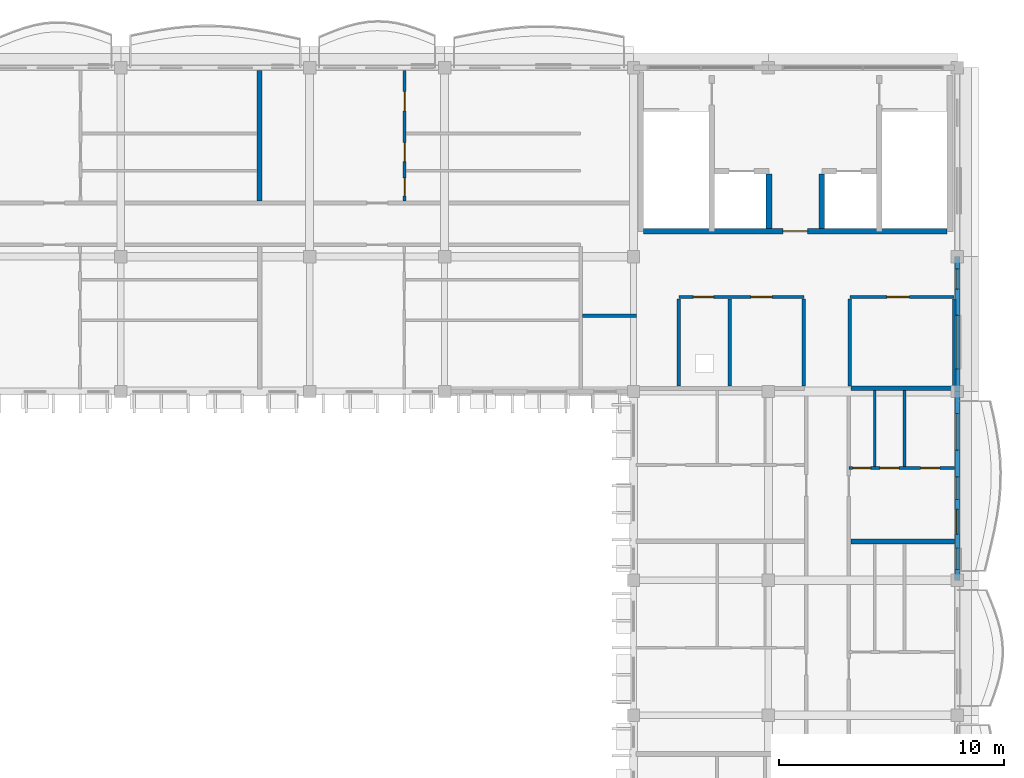
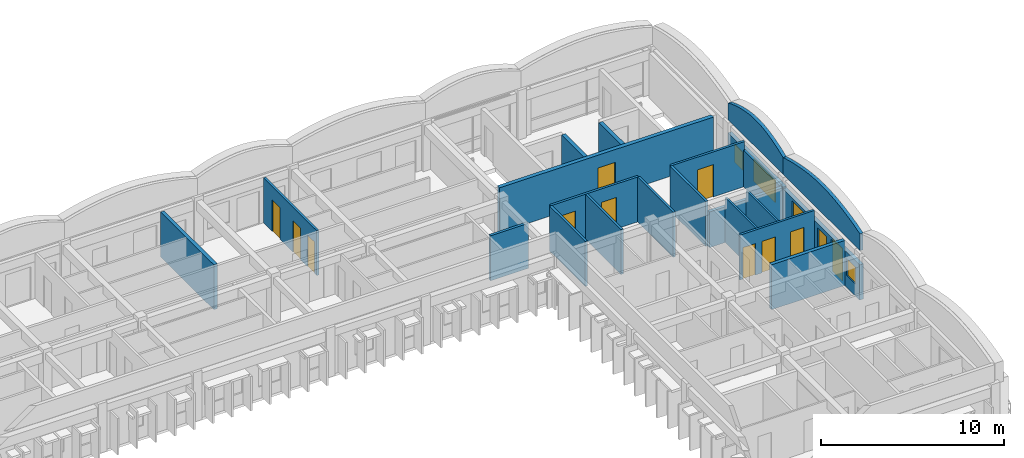
# One storey, part 16 of 28: 22 walls, 11 doors, 5 windows, 16 openings.
"""IFC4 building model written with IfcOpenShell, lengths in metres."""

from ifc_helpers import new_model, si_unit, direction, frame, frame_2d, origin, place, context, subcontext, project, spatial, polyline, rectangle, outline, extrude, material, layer, layer_set, type_object, element, fill, save


model = new_model("IFC4")

# Units and contexts
model_context = context("Model", 3, precision=1e-05, world=origin(), true_north=direction((0.0, 1.0)))
body_context = subcontext(model_context, "Body", "Model", "MODEL_VIEW")
ifc_project = project(units=[si_unit("LENGTHUNIT", "METRE"), si_unit("AREAUNIT", "SQUARE_METRE"), si_unit("VOLUMEUNIT", "CUBIC_METRE"), si_unit("PLANEANGLEUNIT", "RADIAN"), si_unit("MASSUNIT", "GRAM", prefix="KILO"), si_unit("THERMODYNAMICTEMPERATUREUNIT", "KELVIN")], contexts=[model_context])

# Site, building, storey
site_placement = place(None, origin())
site = spatial("IfcSite", under=ifc_project, at=site_placement, CompositionType="ELEMENT")
building_placement = place(site_placement, origin())
building = spatial("IfcBuilding", under=site, at=building_placement, Name="Thalorik Housing Commons", CompositionType="ELEMENT")
storey_placement = place(building_placement, frame((0.0, 0.0, 41.10009765625)))
storey = spatial("IfcBuildingStorey", under=building, at=storey_placement, Name="L12", CompositionType="ELEMENT", Elevation=41.10009765625)

# Walls
ifc_material_1 = material(Name="Concrete C40/50", Category="concrete")
ifc_layer_1 = layer(ifc_material_1, 0.25, Name="Concrete C40/50", Category="concrete")
ifc_layer_set_1 = layer_set([ifc_layer_1], Name="Concrete C40/50")
wall_type_1 = type_object("IfcWallType", Name="ARC-WAL-CORE-250", PredefinedType="SHEAR", material=ifc_layer_set_1)
for number, where, z_axis, x_axis, name in (
    (1, (158.425048828125, 118.875, 0.0), (0.0, 0.0, 1.0), (0.0, -1.0, 0.0), "L12 Lift 1 Cheek Wall"),
    (2, (160.77490234375, 118.875, 0.0), (0.0, 0.0, 1.0), (0.0, -1.0, 0.0), "L12 Lift 2 Cheek Wall"),
):
    element("IfcWall", number, at=place(storey_placement, frame(where, z_axis=z_axis, x_axis=x_axis)), inside=storey, type_object=wall_type_1, Name=name, PredefinedType="SHEAR", context=body_context, shape_type="SweptSolid", body=[
        extrude(rectangle(XDim=2.425048828125, YDim=0.25, at=frame_2d((1.21240234375, 0.0))), origin(), (0.0, 0.0, 1.0), 3.0),
    ])

# Wall, opening, door
wall_1_placement = place(storey_placement, frame((152.85009765625, 116.324951171875, 0.0), z_axis=(0.0, 0.0, 1.0), x_axis=(1.0, 0.0, 0.0)))
wall_1 = element("IfcWall", 3, at=wall_1_placement, inside=storey, type_object=wall_type_1, Name="L12 Core B Spine Shear Wall", PredefinedType="SHEAR", context=body_context, shape_type="SweptSolid", body=[
    extrude(rectangle(XDim=13.5, YDim=0.25, at=frame_2d((6.75, 0.0))), origin(), (0.0, 0.0, 1.0), 3.0),
])
opening_1_placement = place(wall_1_placement, frame((6.199951171875, 0.0, 0.0)))
opening_1 = element("IfcOpeningElement", 4, at=opening_1_placement, cuts=wall_1, Name="Opening ID-0245", PredefinedType="OPENING", context=body_context, shape_type="SweptSolid", body=[
    extrude(rectangle(XDim=1.10009765625, YDim=2.14990234375, at=frame_2d((0.550048828125, 1.074951171875))), frame((0.0, 0.135009765625, 0.0), z_axis=(0.0, -1.0, 0.0), x_axis=(1.0, 0.0, 0.0)), (0.0, 0.0, 1.0), 0.27001953125),
])
ifc_material_2 = material(Name="Steel S355", Category="steel")
door_type_1 = type_object("IfcDoorType", Name="ARC-DR-FD60-1100", OperationType="NOTDEFINED", PredefinedType="DOOR", material=ifc_material_2)
door_1_placement = place(opening_1_placement, origin())
door_1 = element("IfcDoor", 5, at=door_1_placement, inside=storey, type_object=door_type_1, Name="L12 Core B Lobby Fire Door", OperationType="SINGLE_SWING_RIGHT", OverallHeight=2.14990234375, OverallWidth=1.10009765625, PredefinedType="DOOR", context=body_context, shape_type="SweptSolid", body=[
    extrude(rectangle(XDim=1.10009765625, YDim=2.14990234375, at=frame_2d((0.550048828125, 1.074951171875))), frame((0.0, 0.02490234375, 0.0), z_axis=(0.0, -1.0, 0.0), x_axis=(1.0, 0.0, 0.0)), (0.0, 0.0, 1.0), 0.050048828125),
])
fill(opening_1, door_1)

# Wall
ifc_material_3 = material(Name="Masonry fire-rated corridor wall", Category="masonry")
ifc_layer_2 = layer(ifc_material_3, 0.1650390625, Name="Masonry fire-rated corridor wall", Category="masonry")
ifc_layer_set_2 = layer_set([ifc_layer_2], Name="Masonry fire-rated corridor wall")
wall_type_2 = type_object("IfcWallType", Name="ARC-WAL-CORR-165", PredefinedType="PARTITIONING", material=ifc_layer_set_2)
wall_2_placement = place(storey_placement, frame((150.126953125, 112.570068359375, 0.0), z_axis=(0.0, 0.0, 1.0), x_axis=(1.0, 0.0, 0.0)))
element("IfcWall", 6, at=wall_2_placement, inside=storey, type_object=wall_type_2, Name="L12 Block B Vestibule South Wall", PredefinedType="PARTITIONING", context=body_context, shape_type="SweptSolid", body=[
    extrude(rectangle(XDim=2.4130859375, YDim=0.1650390625, at=frame_2d((1.20654296875, 0.0))), origin(), (0.0, 0.0, 1.0), 3.0),
])

# Wall, openings, windows
ifc_material_4 = material(Name="White precast concrete C40/50", Category="concrete")
ifc_layer_3 = layer(ifc_material_4, 0.235107421875, Name="White precast concrete C40/50", Category="concrete")
ifc_layer_set_3 = layer_set([ifc_layer_3], Name="White precast concrete C40/50")
wall_type_3 = type_object("IfcWallType", Name="ARC-WAL-EXT-235", PredefinedType="STANDARD", material=ifc_layer_set_3)
wall_3_placement = place(storey_placement, frame((166.800048828125, 109.199951171875, 0.0), z_axis=(0.0, 0.0, 1.0), x_axis=(0.0, 1.0, 0.0)))
wall_3 = element("IfcWall", 7, at=wall_3_placement, inside=storey, type_object=wall_type_3, Name="L12 Exterior Wall WAL-EXT-L12-B-0795", PredefinedType="STANDARD", context=body_context, shape_type="SweptSolid", body=[
    extrude(rectangle(XDim=6.0, YDim=0.235107421875, at=frame_2d((3.0, 0.0))), origin(), (0.0, 0.0, 1.0), 2.44482421875),
])
opening_2_placement = place(wall_3_placement, frame((1.0048828125, 0.0, 0.780029296875)))
opening_2 = element("IfcOpeningElement", 8, at=opening_2_placement, cuts=wall_3, Name="Opening W-69", PredefinedType="OPENING", context=body_context, shape_type="SweptSolid", body=[
    extrude(rectangle(XDim=2.3798828125, YDim=1.47998046875, at=frame_2d((1.18994140625, 0.739990234375))), frame((0.0, 0.12744140625, 0.0), z_axis=(0.0, -1.0, 0.0), x_axis=(1.0, 0.0, 0.0)), (0.0, 0.0, 1.0), 0.255126953125),
])
opening_3_placement = place(wall_3_placement, frame((4.554931640625, 0.0, 0.780029296875)))
opening_3 = element("IfcOpeningElement", 9, at=opening_3_placement, cuts=wall_3, Name="Opening W-01", PredefinedType="OPENING", context=body_context, shape_type="SweptSolid", body=[
    extrude(rectangle(XDim=0.89990234375, YDim=1.199951171875, at=frame_2d((0.449951171875, 0.60009765625))), frame((0.0, 0.12744140625, 0.0), z_axis=(0.0, -1.0, 0.0), x_axis=(1.0, 0.0, 0.0)), (0.0, 0.0, 1.0), 0.255126953125),
])
ifc_material_5 = material(Name="Anodised aluminium and solar-control low-E glass", Category="aluminium")
window_type_1 = type_object("IfcWindowType", Name="ARC-WIN-01", PartitioningType="SINGLE_PANEL", PredefinedType="WINDOW", material=ifc_material_5)
window_1_placement = place(opening_3_placement, origin())
window_1 = element("IfcWindow", 10, at=window_1_placement, inside=storey, type_object=window_type_1, Name="L12 Facade Window 1465", OverallHeight=1.199951171875, OverallWidth=0.89990234375, PartitioningType="SINGLE_PANEL", PredefinedType="WINDOW", context=body_context, shape_type="SweptSolid", body=[
    extrude(rectangle(XDim=0.89990234375, YDim=1.199951171875, at=frame_2d((0.449951171875, 0.60009765625))), frame((0.0, 0.030029296875, 0.0), z_axis=(0.0, -1.0, 0.0), x_axis=(1.0, 0.0, 0.0)), (0.0, 0.0, 1.0), 0.06005859375),
])
fill(opening_3, window_1)
window_type_2 = type_object("IfcWindowType", Name="ARC-WIN-69", PartitioningType="DOUBLE_PANEL_VERTICAL", PredefinedType="WINDOW", material=ifc_material_5)
window_2_placement = place(opening_2_placement, origin())
window_2 = element("IfcWindow", 11, at=window_2_placement, inside=storey, type_object=window_type_2, Name="L12 Facade Window 1464", OverallHeight=1.47998046875, OverallWidth=2.3798828125, PartitioningType="DOUBLE_PANEL_VERTICAL", PredefinedType="WINDOW", context=body_context, shape_type="SweptSolid", body=[
    extrude(rectangle(XDim=2.3798828125, YDim=1.47998046875, at=frame_2d((1.18994140625, 0.739990234375))), frame((0.0, 0.030029296875, 0.0), z_axis=(0.0, -1.0, 0.0), x_axis=(1.0, 0.0, 0.0)), (0.0, 0.0, 1.0), 0.06005859375),
])
fill(opening_2, window_2)

# Wall, openings, door, windows
wall_4_placement = place(storey_placement, frame((166.800048828125, 100.800048828125, 0.0), z_axis=(0.0, 0.0, 1.0), x_axis=(0.0, 1.0, 0.0)))
wall_4 = element("IfcWall", 12, at=wall_4_placement, inside=storey, type_object=wall_type_3, Name="L12 Exterior Wall WAL-EXT-L12-B-0820", PredefinedType="STANDARD", context=body_context, shape_type="SweptSolid", body=[
    extrude(rectangle(XDim=8.39990234375, YDim=0.235107421875, at=frame_2d((4.199951171875, 0.0))), origin(), (0.0, 0.0, 1.0), 2.344970703125),
])
opening_4_placement = place(wall_4_placement, frame((2.06005859375, 0.0, 0.0)))
opening_4 = element("IfcOpeningElement", 13, at=opening_4_placement, cuts=wall_4, Name="Opening ED-0280", PredefinedType="OPENING", context=body_context, shape_type="SweptSolid", body=[
    extrude(rectangle(XDim=1.10009765625, YDim=2.14990234375, at=frame_2d((0.550048828125, 1.074951171875))), frame((0.0, 0.12744140625, 0.0), z_axis=(0.0, -1.0, 0.0), x_axis=(1.0, 0.0, 0.0)), (0.0, 0.0, 1.0), 0.255126953125),
])
opening_5_placement = place(wall_4_placement, frame((0.485107421875, 0.0, 0.780029296875)))
opening_5 = element("IfcOpeningElement", 14, at=opening_5_placement, cuts=wall_4, Name="Opening W-43", PredefinedType="OPENING", context=body_context, shape_type="SweptSolid", body=[
    extrude(rectangle(XDim=0.949951171875, YDim=1.14990234375, at=frame_2d((0.47509765625, 0.574951171875))), frame((0.0, 0.12744140625, 0.0), z_axis=(0.0, -1.0, 0.0), x_axis=(1.0, 0.0, 0.0)), (0.0, 0.0, 1.0), 0.255126953125),
])
opening_6_placement = place(wall_4_placement, frame((3.6044921875, 0.0, 0.780029296875)))
opening_6 = element("IfcOpeningElement", 15, at=opening_6_placement, cuts=wall_4, Name="Opening W-02", PredefinedType="OPENING", context=body_context, shape_type="SweptSolid", body=[
    extrude(rectangle(XDim=1.0, YDim=1.25, at=frame_2d((0.5, 0.625))), frame((0.0, 0.12744140625, 0.0), z_axis=(0.0, -1.0, 0.0), x_axis=(1.0, 0.0, 0.0)), (0.0, 0.0, 1.0), 0.255126953125),
])
opening_7_placement = place(wall_4_placement, frame((5.79443359375, 0.0, 0.780029296875)))
opening_7 = element("IfcOpeningElement", 16, at=opening_7_placement, cuts=wall_4, Name="Opening W-54", PredefinedType="OPENING", context=body_context, shape_type="SweptSolid", body=[
    extrude(rectangle(XDim=1.6201171875, YDim=1.3798828125, at=frame_2d((0.81005859375, 0.68994140625))), frame((0.0, 0.12744140625, 0.0), z_axis=(0.0, -1.0, 0.0), x_axis=(1.0, 0.0, 0.0)), (0.0, 0.0, 1.0), 0.255126953125),
])
ifc_material_6 = material(Name="Anodised aluminium and laminated safety glass", Category="aluminium")
door_type_2 = type_object("IfcDoorType", Name="ARC-DR-BAL-1100", OperationType="NOTDEFINED", PredefinedType="DOOR", material=ifc_material_6)
door_2_placement = place(opening_4_placement, frame((1.10009765625, 0.0, 0.0), z_axis=(0.0, 0.0, 1.0), x_axis=(-1.0, 0.0, 0.0)))
door_2 = element("IfcDoor", 17, at=door_2_placement, inside=storey, type_object=door_type_2, Name="L12 Block B Balcony Glazed Door", OperationType="SINGLE_SWING_LEFT", OverallHeight=2.14990234375, OverallWidth=1.10009765625, PredefinedType="DOOR", context=body_context, shape_type="SweptSolid", body=[
    extrude(rectangle(XDim=1.10009765625, YDim=2.14990234375, at=frame_2d((0.550048828125, 1.074951171875))), frame((0.0, 0.02490234375, 0.0), z_axis=(0.0, -1.0, 0.0), x_axis=(1.0, 0.0, 0.0)), (0.0, 0.0, 1.0), 0.050048828125),
])
fill(opening_4, door_2)
window_type_3 = type_object("IfcWindowType", Name="ARC-WIN-02", PartitioningType="SINGLE_PANEL", PredefinedType="WINDOW", material=ifc_material_5)
window_3_placement = place(opening_6_placement, origin())
window_3 = element("IfcWindow", 18, at=window_3_placement, inside=storey, type_object=window_type_3, Name="L12 Facade Window 1518", OverallHeight=1.25, OverallWidth=1.0, PartitioningType="SINGLE_PANEL", PredefinedType="WINDOW", context=body_context, shape_type="SweptSolid", body=[
    extrude(rectangle(XDim=1.0, YDim=1.25, at=frame_2d((0.5, 0.625))), frame((0.0, 0.030029296875, 0.0), z_axis=(0.0, -1.0, 0.0), x_axis=(1.0, 0.0, 0.0)), (0.0, 0.0, 1.0), 0.06005859375),
])
fill(opening_6, window_3)
window_type_4 = type_object("IfcWindowType", Name="ARC-WIN-43", PartitioningType="SINGLE_PANEL", PredefinedType="WINDOW", material=ifc_material_5)
window_4_placement = place(opening_5_placement, origin())
window_4 = element("IfcWindow", 19, at=window_4_placement, inside=storey, type_object=window_type_4, Name="L12 Facade Window 1517", OverallHeight=1.14990234375, OverallWidth=0.949951171875, PartitioningType="SINGLE_PANEL", PredefinedType="WINDOW", context=body_context, shape_type="SweptSolid", body=[
    extrude(rectangle(XDim=0.949951171875, YDim=1.14990234375, at=frame_2d((0.47509765625, 0.574951171875))), frame((0.0, 0.030029296875, 0.0), z_axis=(0.0, -1.0, 0.0), x_axis=(1.0, 0.0, 0.0)), (0.0, 0.0, 1.0), 0.06005859375),
])
fill(opening_5, window_4)
window_type_5 = type_object("IfcWindowType", Name="ARC-WIN-54", PartitioningType="DOUBLE_PANEL_VERTICAL", PredefinedType="WINDOW", material=ifc_material_5)
window_5_placement = place(opening_7_placement, origin())
window_5 = element("IfcWindow", 20, at=window_5_placement, inside=storey, type_object=window_type_5, Name="L12 Facade Window 1519", OverallHeight=1.3798828125, OverallWidth=1.6201171875, PartitioningType="DOUBLE_PANEL_VERTICAL", PredefinedType="WINDOW", context=body_context, shape_type="SweptSolid", body=[
    extrude(rectangle(XDim=1.6201171875, YDim=1.3798828125, at=frame_2d((0.81005859375, 0.68994140625))), frame((0.0, 0.030029296875, 0.0), z_axis=(0.0, -1.0, 0.0), x_axis=(1.0, 0.0, 0.0)), (0.0, 0.0, 1.0), 0.06005859375),
])
fill(opening_7, window_5)

# Walls
ifc_layer_4 = layer(ifc_material_4, 0.2099609375, Name="White precast concrete C40/50", Category="concrete")
ifc_layer_set_4 = layer_set([ifc_layer_4], Name="White precast concrete C40/50")
wall_type_4 = type_object("IfcWallType", Name="ARC-WAL-PAR-210", PredefinedType="PARAPET", material=ifc_layer_set_4)
wall_5_placement = place(storey_placement, frame((166.800048828125, 109.199951171875, 3.2998046875), z_axis=(0.0, 0.0, 1.0), x_axis=(0.0, 1.0, 0.0)))
element("IfcWall", 21, at=wall_5_placement, inside=storey, type_object=wall_type_4, Name="L12 Block B Scalloped Arched Roof Parapet 14", PredefinedType="PARAPET", context=body_context, shape_type="SweptSolid", body=[
    extrude(outline(polyline([(0.0, 0.0), (6.0, 0.0), (6.0, 1.1201171875), (5.5, 1.321533203125), (5.0, 1.484619140625), (4.5, 1.617919921875), (4.0, 1.717529296875), (3.5, 1.779296875), (3.0, 1.800048828125), (2.5, 1.779296875), (2.0, 1.717529296875), (1.5, 1.617919921875), (1.0, 1.484619140625), (0.5, 1.321533203125), (0.0, 1.1201171875), (0.0, 0.0)])), frame((0.0, 0.10498046875, 0.0), z_axis=(0.0, -1.0, 0.0), x_axis=(1.0, 0.0, 0.0)), (0.0, 0.0, 1.0), 0.2099609375),
])
wall_6_placement = place(storey_placement, frame((166.800048828125, 100.800048828125, 3.2998046875), z_axis=(0.0, 0.0, 1.0), x_axis=(0.0, 1.0, 0.0)))
element("IfcWall", 22, at=wall_6_placement, inside=storey, type_object=wall_type_4, Name="L12 Block B Scalloped Arched Roof Parapet 30", PredefinedType="PARAPET", context=body_context, shape_type="SweptSolid", body=[
    extrude(outline(polyline([(0.0, 0.0), (8.39990234375, 0.0), (8.39990234375, 1.1201171875), (7.699951171875, 1.321533203125), (7.0, 1.484619140625), (6.300048828125, 1.617919921875), (5.60009765625, 1.717529296875), (4.89990234375, 1.779296875), (4.199951171875, 1.800048828125), (3.5, 1.779296875), (2.800048828125, 1.717529296875), (2.10009765625, 1.617919921875), (1.39990234375, 1.484619140625), (0.699951171875, 1.321533203125), (0.0, 1.1201171875), (0.0, 0.0)])), frame((0.0, 0.10498046875, 0.0), z_axis=(0.0, -1.0, 0.0), x_axis=(1.0, 0.0, 0.0)), (0.0, 0.0, 1.0), 0.2099609375),
])
ifc_material_7 = material(Name="Gypsum moisture-resistant partition", Category="masonry")
ifc_layer_5 = layer(ifc_material_7, 0.114990234375, Name="Gypsum moisture-resistant partition", Category="masonry")
ifc_layer_set_5 = layer_set([ifc_layer_5], Name="Gypsum moisture-resistant partition")
wall_type_5 = type_object("IfcWallType", Name="ARC-WAL-PART-115", PredefinedType="PARTITIONING", material=ifc_layer_set_5)
wall_7_placement = place(storey_placement, frame((163.122314453125, 105.870849609375, 0.0), z_axis=(0.0, 0.0, 1.0), x_axis=(0.0, 1.0, 0.0)))
element("IfcWall", 23, at=wall_7_placement, inside=storey, type_object=wall_type_5, Name="L12 Unit 3B Wet Wall", PredefinedType="PARTITIONING", context=body_context, shape_type="SweptSolid", body=[
    extrude(rectangle(XDim=3.3671875, YDim=0.114990234375, at=frame_2d((1.68359375, 0.0))), origin(), (0.0, 0.0, 1.0), 3.0),
])
ifc_material_8 = material(Name="Gypsum acoustic stud partition", Category="masonry")
ifc_layer_6 = layer(ifc_material_8, 0.125, Name="Gypsum acoustic stud partition", Category="masonry")
ifc_layer_set_6 = layer_set([ifc_layer_6], Name="Gypsum acoustic stud partition")
wall_type_6 = type_object("IfcWallType", Name="ARC-WAL-PART-125", PredefinedType="PARTITIONING", material=ifc_layer_set_6)
wall_8_placement = place(storey_placement, frame((164.455078125, 105.870849609375, 0.0), z_axis=(0.0, 0.0, 1.0), x_axis=(0.0, 1.0, 0.0)))
element("IfcWall", 24, at=wall_8_placement, inside=storey, type_object=wall_type_6, Name="L12 Unit 3B Bedroom Partition", PredefinedType="PARTITIONING", context=body_context, shape_type="SweptSolid", body=[
    extrude(rectangle(XDim=3.3671875, YDim=0.125, at=frame_2d((1.68359375, 0.0))), origin(), (0.0, 0.0, 1.0), 3.0),
])

# Wall, openings, doors
ifc_material_9 = material(Name="Ceramic masonry partition wall", Category="masonry")
ifc_layer_7 = layer(ifc_material_9, 0.139892578125, Name="Ceramic masonry partition wall", Category="masonry")
ifc_layer_set_7 = layer_set([ifc_layer_7], Name="Ceramic masonry partition wall")
wall_type_7 = type_object("IfcWallType", Name="ARC-WAL-PART-140", PredefinedType="PARTITIONING", material=ifc_layer_set_7)
wall_9_placement = place(storey_placement, frame((142.224365234375, 117.66455078125, 0.0), z_axis=(0.0, 0.0, 1.0), x_axis=(0.0, 1.0, 0.0)))
wall_9 = element("IfcWall", 25, at=wall_9_placement, inside=storey, type_object=wall_type_7, Name="L12 Unit 3B Spine Partition", PredefinedType="PARTITIONING", context=body_context, shape_type="SweptSolid", body=[
    extrude(rectangle(XDim=5.81591796875, YDim=0.139892578125, at=frame_2d((2.907958984375, 0.0))), origin(), (0.0, 0.0, 1.0), 3.0),
])
opening_8_placement = place(wall_9_placement, frame((0.230712890625, 0.0, 0.0)))
opening_8 = element("IfcOpeningElement", 26, at=opening_8_placement, cuts=wall_9, Name="Opening ID-1541", PredefinedType="OPENING", context=body_context, shape_type="SweptSolid", body=[
    extrude(rectangle(XDim=0.800048828125, YDim=2.10009765625, at=frame_2d((0.39990234375, 1.050048828125))), frame((0.0, 0.080078125, 0.0), z_axis=(0.0, -1.0, 0.0), x_axis=(1.0, 0.0, 0.0)), (0.0, 0.0, 1.0), 0.159912109375),
])
opening_9_placement = place(wall_9_placement, frame((1.75537109375, 0.0, 0.0)))
opening_9 = element("IfcOpeningElement", 27, at=opening_9_placement, cuts=wall_9, Name="Opening ID-1542", PredefinedType="OPENING", context=body_context, shape_type="SweptSolid", body=[
    extrude(rectangle(XDim=0.85009765625, YDim=2.10009765625, at=frame_2d((0.425048828125, 1.050048828125))), frame((0.0, 0.080078125, 0.0), z_axis=(0.0, -1.0, 0.0), x_axis=(1.0, 0.0, 0.0)), (0.0, 0.0, 1.0), 0.159912109375),
])
opening_10_placement = place(wall_9_placement, frame((4.02001953125, 0.0, 0.0)))
opening_10 = element("IfcOpeningElement", 28, at=opening_10_placement, cuts=wall_9, Name="Opening ID-1543", PredefinedType="OPENING", context=body_context, shape_type="SweptSolid", body=[
    extrude(rectangle(XDim=0.85009765625, YDim=2.10009765625, at=frame_2d((0.425048828125, 1.050048828125))), frame((0.0, 0.080078125, 0.0), z_axis=(0.0, -1.0, 0.0), x_axis=(1.0, 0.0, 0.0)), (0.0, 0.0, 1.0), 0.159912109375),
])
ifc_material_10 = material(Name="Moisture-resistant timber", Category="wood")
door_type_3 = type_object("IfcDoorType", Name="ARC-DR-INT-800", OperationType="NOTDEFINED", PredefinedType="DOOR", material=ifc_material_10)
door_3_placement = place(opening_8_placement, origin())
door_3 = element("IfcDoor", 29, at=door_3_placement, inside=storey, type_object=door_type_3, Name="L12 Accessible Bathroom Door", OperationType="SINGLE_SWING_RIGHT", OverallHeight=2.10009765625, OverallWidth=0.800048828125, PredefinedType="DOOR", context=body_context, shape_type="SweptSolid", body=[
    extrude(rectangle(XDim=0.800048828125, YDim=2.10009765625, at=frame_2d((0.39990234375, 1.050048828125))), frame((0.0, 0.02490234375, 0.0), z_axis=(0.0, -1.0, 0.0), x_axis=(1.0, 0.0, 0.0)), (0.0, 0.0, 1.0), 0.050048828125),
])
fill(opening_8, door_3)
ifc_material_11 = material(Name="Engineered oak timber", Category="wood")
door_type_4 = type_object("IfcDoorType", Name="ARC-DR-INT-850", OperationType="NOTDEFINED", PredefinedType="DOOR", material=ifc_material_11)
door_4_placement = place(opening_9_placement, origin())
door_4 = element("IfcDoor", 30, at=door_4_placement, inside=storey, type_object=door_type_4, Name="L12 Eat-In Kitchen Door", OperationType="SINGLE_SWING_LEFT", OverallHeight=2.10009765625, OverallWidth=0.85009765625, PredefinedType="DOOR", context=body_context, shape_type="SweptSolid", body=[
    extrude(rectangle(XDim=0.85009765625, YDim=2.10009765625, at=frame_2d((0.425048828125, 1.050048828125))), frame((0.0, 0.02490234375, 0.0), z_axis=(0.0, -1.0, 0.0), x_axis=(1.0, 0.0, 0.0)), (0.0, 0.0, 1.0), 0.050048828125),
])
fill(opening_9, door_4)
door_5_placement = place(opening_10_placement, origin())
door_5 = element("IfcDoor", 31, at=door_5_placement, inside=storey, type_object=door_type_4, Name="L12 Children's Bedroom Door", OperationType="SINGLE_SWING_RIGHT", OverallHeight=2.10009765625, OverallWidth=0.85009765625, PredefinedType="DOOR", context=body_context, shape_type="SweptSolid", body=[
    extrude(rectangle(XDim=0.85009765625, YDim=2.10009765625, at=frame_2d((0.425048828125, 1.050048828125))), frame((0.0, 0.02490234375, 0.0), z_axis=(0.0, -1.0, 0.0), x_axis=(1.0, 0.0, 0.0)), (0.0, 0.0, 1.0), 0.050048828125),
])
fill(opening_10, door_5)

wall_10_placement = place(storey_placement, frame((161.97998046875, 105.798828125, 0.0), z_axis=(0.0, 0.0, 1.0), x_axis=(1.0, 0.0, 0.0)))
wall_10 = element("IfcWall", 32, at=wall_10_placement, inside=storey, type_object=wall_type_7, Name="L12 Unit 3B Spine Partition", PredefinedType="PARTITIONING", context=body_context, shape_type="SweptSolid", body=[
    extrude(rectangle(XDim=4.700439453125, YDim=0.139892578125, at=frame_2d((2.35009765625, 0.0))), origin(), (0.0, 0.0, 1.0), 3.0),
])
opening_11_placement = place(wall_10_placement, frame((0.171142578125, 0.0, 0.0)))
opening_11 = element("IfcOpeningElement", 33, at=opening_11_placement, cuts=wall_10, Name="Opening ID-1565", PredefinedType="OPENING", context=body_context, shape_type="SweptSolid", body=[
    extrude(rectangle(XDim=0.800048828125, YDim=2.10009765625, at=frame_2d((0.39990234375, 1.050048828125))), frame((0.0, 0.080078125, 0.0), z_axis=(0.0, -1.0, 0.0), x_axis=(1.0, 0.0, 0.0)), (0.0, 0.0, 1.0), 0.159912109375),
])
opening_12_placement = place(wall_10_placement, frame((1.3837890625, 0.0, 0.0)))
opening_12 = element("IfcOpeningElement", 34, at=opening_12_placement, cuts=wall_10, Name="Opening ID-1566", PredefinedType="OPENING", context=body_context, shape_type="SweptSolid", body=[
    extrude(rectangle(XDim=0.85009765625, YDim=2.10009765625, at=frame_2d((0.425048828125, 1.050048828125))), frame((0.0, 0.080078125, 0.0), z_axis=(0.0, -1.0, 0.0), x_axis=(1.0, 0.0, 0.0)), (0.0, 0.0, 1.0), 0.159912109375),
])
opening_13_placement = place(wall_10_placement, frame((3.192626953125, 0.0, 0.0)))
opening_13 = element("IfcOpeningElement", 35, at=opening_13_placement, cuts=wall_10, Name="Opening ID-1567", PredefinedType="OPENING", context=body_context, shape_type="SweptSolid", body=[
    extrude(rectangle(XDim=0.85009765625, YDim=2.10009765625, at=frame_2d((0.425048828125, 1.050048828125))), frame((0.0, 0.080078125, 0.0), z_axis=(0.0, -1.0, 0.0), x_axis=(1.0, 0.0, 0.0)), (0.0, 0.0, 1.0), 0.159912109375),
])
door_6_placement = place(opening_11_placement, origin())
door_6 = element("IfcDoor", 36, at=door_6_placement, inside=storey, type_object=door_type_3, Name="L12 Accessible Bathroom Door", OperationType="SINGLE_SWING_RIGHT", OverallHeight=2.10009765625, OverallWidth=0.800048828125, PredefinedType="DOOR", context=body_context, shape_type="SweptSolid", body=[
    extrude(rectangle(XDim=0.800048828125, YDim=2.10009765625, at=frame_2d((0.39990234375, 1.050048828125))), frame((0.0, 0.02490234375, 0.0), z_axis=(0.0, -1.0, 0.0), x_axis=(1.0, 0.0, 0.0)), (0.0, 0.0, 1.0), 0.050048828125),
])
fill(opening_11, door_6)
door_7_placement = place(opening_12_placement, origin())
door_7 = element("IfcDoor", 37, at=door_7_placement, inside=storey, type_object=door_type_4, Name="L12 Eat-In Kitchen Door", OperationType="SINGLE_SWING_LEFT", OverallHeight=2.10009765625, OverallWidth=0.85009765625, PredefinedType="DOOR", context=body_context, shape_type="SweptSolid", body=[
    extrude(rectangle(XDim=0.85009765625, YDim=2.10009765625, at=frame_2d((0.425048828125, 1.050048828125))), frame((0.0, 0.02490234375, 0.0), z_axis=(0.0, -1.0, 0.0), x_axis=(1.0, 0.0, 0.0)), (0.0, 0.0, 1.0), 0.050048828125),
])
fill(opening_12, door_7)
door_8_placement = place(opening_13_placement, origin())
door_8 = element("IfcDoor", 38, at=door_8_placement, inside=storey, type_object=door_type_4, Name="L12 Children's Bedroom Door", OperationType="SINGLE_SWING_RIGHT", OverallHeight=2.10009765625, OverallWidth=0.85009765625, PredefinedType="DOOR", context=body_context, shape_type="SweptSolid", body=[
    extrude(rectangle(XDim=0.85009765625, YDim=2.10009765625, at=frame_2d((0.425048828125, 1.050048828125))), frame((0.0, 0.02490234375, 0.0), z_axis=(0.0, -1.0, 0.0), x_axis=(1.0, 0.0, 0.0)), (0.0, 0.0, 1.0), 0.050048828125),
])
fill(opening_13, door_8)

# Walls
ifc_layer_8 = layer(ifc_material_9, 0.14794921875, Name="Ceramic masonry partition wall", Category="masonry")
ifc_layer_set_8 = layer_set([ifc_layer_8], Name="Ceramic masonry partition wall")
wall_type_8 = type_object("IfcWallType", Name="ARC-WAL-PART-150", PredefinedType="PARTITIONING", material=ifc_layer_set_8)
for number, where, z_axis, x_axis, name in (
    (39, (154.419921875, 113.323974609375, 0.0), (0.0, 0.0, 1.0), (0.0, -1.0, 0.0), "Core West Enclosing Wall"),
    (40, (156.675048828125, 113.323974609375, 0.0), (0.0, 0.0, 1.0), (0.0, -1.0, 0.0), "Riser Wall"),
    (41, (159.97509765625, 113.323974609375, 0.0), (0.0, 0.0, 1.0), (0.0, -1.0, 0.0), "Core Stem West Cheek Wall"),
):
    element("IfcWall", number, at=place(storey_placement, frame(where, z_axis=z_axis, x_axis=x_axis)), inside=storey, type_object=wall_type_8, Name=name, PredefinedType="PARTITIONING", context=body_context, shape_type="SweptSolid", body=[
        extrude(rectangle(XDim=3.889404296875, YDim=0.14794921875, at=frame_2d((1.94482421875, 0.0))), origin(), (0.0, 0.0, 1.0), 3.0),
    ])
wall_11_placement = place(storey_placement, frame((162.02490234375, 113.323974609375, 0.0), z_axis=(0.0, 0.0, 1.0), x_axis=(0.0, -1.0, 0.0)))
element("IfcWall", 42, at=wall_11_placement, inside=storey, type_object=wall_type_8, Name="Core Stem East Cheek Wall", PredefinedType="PARTITIONING", context=body_context, shape_type="SweptSolid", body=[
    extrude(rectangle(XDim=3.882080078125, YDim=0.14794921875, at=frame_2d((1.94091796875, 0.0))), origin(), (0.0, 0.0, 1.0), 3.0),
])
wall_12_placement = place(storey_placement, frame((166.659912109375, 113.323974609375, 0.0), z_axis=(0.0, 0.0, 1.0), x_axis=(0.0, -1.0, 0.0)))
element("IfcWall", 43, at=wall_12_placement, inside=storey, type_object=wall_type_8, Name="Core East Enclosing Wall", PredefinedType="PARTITIONING", context=body_context, shape_type="SweptSolid", body=[
    extrude(rectangle(XDim=3.882080078125, YDim=0.14794921875, at=frame_2d((1.94091796875, 0.0))), origin(), (0.0, 0.0, 1.0), 2.44482421875),
])

# Wall, openings, doors
wall_13_placement = place(storey_placement, frame((154.419921875, 113.39990234375, 0.0), z_axis=(0.0, 0.0, 1.0), x_axis=(1.0, 0.0, 0.0)))
wall_13 = element("IfcWall", 44, at=wall_13_placement, inside=storey, type_object=wall_type_8, Name="L12 Core B West Corridor Partition", PredefinedType="PARTITIONING", context=body_context, shape_type="SweptSolid", body=[
    extrude(rectangle(XDim=5.55517578125, YDim=0.14794921875, at=frame_2d((2.777587890625, 0.0))), origin(), (0.0, 0.0, 1.0), 3.0),
])
opening_14_placement = place(wall_13_placement, frame((0.64990234375, 0.0, 0.0)))
opening_14 = element("IfcOpeningElement", 45, at=opening_14_placement, cuts=wall_13, Name="Opening ID-0246", PredefinedType="OPENING", context=body_context, shape_type="SweptSolid", body=[
    extrude(rectangle(XDim=0.89990234375, YDim=2.10009765625, at=frame_2d((0.449951171875, 1.050048828125))), frame((0.0, 0.083984375, 0.0), z_axis=(0.0, -1.0, 0.0), x_axis=(1.0, 0.0, 0.0)), (0.0, 0.0, 1.0), 0.16796875),
])
opening_15_placement = place(wall_13_placement, frame((3.199951171875, 0.0, 0.0)))
opening_15 = element("IfcOpeningElement", 46, at=opening_15_placement, cuts=wall_13, Name="Opening ID-0247", PredefinedType="OPENING", context=body_context, shape_type="SweptSolid", body=[
    extrude(rectangle(XDim=0.949951171875, YDim=2.10009765625, at=frame_2d((0.47509765625, 1.050048828125))), frame((0.0, 0.083984375, 0.0), z_axis=(0.0, -1.0, 0.0), x_axis=(1.0, 0.0, 0.0)), (0.0, 0.0, 1.0), 0.16796875),
])
door_type_5 = type_object("IfcDoorType", Name="ARC-DR-FD60-900", OperationType="NOTDEFINED", PredefinedType="DOOR", material=ifc_material_2)
door_9_placement = place(opening_14_placement, origin())
door_9 = element("IfcDoor", 47, at=door_9_placement, inside=storey, type_object=door_type_5, Name="Electrical Riser Door", OperationType="SINGLE_SWING_LEFT", OverallHeight=2.10009765625, OverallWidth=0.89990234375, PredefinedType="DOOR", context=body_context, shape_type="SweptSolid", body=[
    extrude(rectangle(XDim=0.89990234375, YDim=2.10009765625, at=frame_2d((0.449951171875, 1.050048828125))), frame((0.0, 0.02490234375, 0.0), z_axis=(0.0, -1.0, 0.0), x_axis=(1.0, 0.0, 0.0)), (0.0, 0.0, 1.0), 0.050048828125),
])
fill(opening_14, door_9)
door_type_6 = type_object("IfcDoorType", Name="ARC-DR-INT-950", OperationType="NOTDEFINED", PredefinedType="DOOR", material=ifc_material_11)
door_10_placement = place(opening_15_placement, origin())
door_10 = element("IfcDoor", 48, at=door_10_placement, inside=storey, type_object=door_type_6, Name="Accessible Bathroom Door", OperationType="SINGLE_SWING_RIGHT", OverallHeight=2.10009765625, OverallWidth=0.949951171875, PredefinedType="DOOR", context=body_context, shape_type="SweptSolid", body=[
    extrude(rectangle(XDim=0.949951171875, YDim=2.10009765625, at=frame_2d((0.47509765625, 1.050048828125))), frame((0.0, 0.02490234375, 0.0), z_axis=(0.0, -1.0, 0.0), x_axis=(1.0, 0.0, 0.0)), (0.0, 0.0, 1.0), 0.050048828125),
])
fill(opening_15, door_10)

# Wall, opening, door
wall_14_placement = place(storey_placement, frame((162.02490234375, 113.39990234375, 0.0), z_axis=(0.0, 0.0, 1.0), x_axis=(1.0, 0.0, 0.0)))
wall_14 = element("IfcWall", 49, at=wall_14_placement, inside=storey, type_object=wall_type_8, Name="L12 Core B East Corridor Partition", PredefinedType="PARTITIONING", context=body_context, shape_type="SweptSolid", body=[
    extrude(rectangle(XDim=4.635009765625, YDim=0.14794921875, at=frame_2d((2.3173828125, 0.0))), origin(), (0.0, 0.0, 1.0), 3.0),
])
opening_16_placement = place(wall_14_placement, frame((1.64990234375, 0.0, 0.0)))
opening_16 = element("IfcOpeningElement", 50, at=opening_16_placement, cuts=wall_14, Name="Opening ID-0248", PredefinedType="OPENING", context=body_context, shape_type="SweptSolid", body=[
    extrude(rectangle(XDim=1.0, YDim=2.14990234375, at=frame_2d((0.5, 1.074951171875))), frame((0.0, 0.083984375, 0.0), z_axis=(0.0, -1.0, 0.0), x_axis=(1.0, 0.0, 0.0)), (0.0, 0.0, 1.0), 0.16796875),
])
door_type_7 = type_object("IfcDoorType", Name="ARC-DR-FD60-1000", OperationType="NOTDEFINED", PredefinedType="DOOR", material=ifc_material_2)
door_11_placement = place(opening_16_placement, origin())
door_11 = element("IfcDoor", 51, at=door_11_placement, inside=storey, type_object=door_type_7, Name="Core Hub Room Door", OperationType="SINGLE_SWING_LEFT", OverallHeight=2.14990234375, OverallWidth=1.0, PredefinedType="DOOR", context=body_context, shape_type="SweptSolid", body=[
    extrude(rectangle(XDim=1.0, YDim=2.14990234375, at=frame_2d((0.5, 1.074951171875))), frame((0.0, 0.02490234375, 0.0), z_axis=(0.0, -1.0, 0.0), x_axis=(1.0, 0.0, 0.0)), (0.0, 0.0, 1.0), 0.050048828125),
])
fill(opening_16, door_11)

# Walls
ifc_material_12 = material(Name="Precast concrete C40/50 acoustic wall", Category="concrete")
ifc_layer_9 = layer(ifc_material_12, 0.199951171875, Name="Precast concrete C40/50 acoustic wall", Category="concrete")
ifc_layer_set_9 = layer_set([ifc_layer_9], Name="Precast concrete C40/50 acoustic wall")
wall_type_9 = type_object("IfcWallType", Name="ARC-WAL-PARTY-200", PredefinedType="PARTITIONING", material=ifc_layer_set_9)
wall_15_placement = place(storey_placement, frame((162.064453125, 109.340087890625, 0.0), z_axis=(0.0, 0.0, 1.0), x_axis=(1.0, 0.0, 0.0)))
element("IfcWall", 52, at=wall_15_placement, inside=storey, type_object=wall_type_9, Name="L12 Core End Wall B", PredefinedType="PARTITIONING", context=body_context, shape_type="SweptSolid", body=[
    extrude(rectangle(XDim=4.615966796875, YDim=0.199951171875, at=frame_2d((2.30810546875, 0.0))), origin(), (0.0, 0.0, 1.0), 2.375),
])
ifc_layer_10 = layer(ifc_material_12, 0.219970703125, Name="Precast concrete C40/50 acoustic wall", Category="concrete")
ifc_layer_set_10 = layer_set([ifc_layer_10], Name="Precast concrete C40/50 acoustic wall")
wall_type_10 = type_object("IfcWallType", Name="ARC-WAL-PARTY-220", PredefinedType="PARTITIONING", material=ifc_layer_set_10)
wall_16_placement = place(storey_placement, frame((135.77001953125, 117.66455078125, 0.0), z_axis=(0.0, 0.0, 1.0), x_axis=(0.0, 1.0, 0.0)))
element("IfcWall", 53, at=wall_16_placement, inside=storey, type_object=wall_type_10, Name="L12 Inter-Tenancy Wall 2B", PredefinedType="PARTITIONING", context=body_context, shape_type="SweptSolid", body=[
    extrude(rectangle(XDim=5.81591796875, YDim=0.219970703125, at=frame_2d((2.907958984375, 0.0))), origin(), (0.0, 0.0, 1.0), 3.0),
])
wall_17_placement = place(storey_placement, frame((162.064453125, 102.530029296875, 0.0), z_axis=(0.0, 0.0, 1.0), x_axis=(1.0, 0.0, 0.0)))
element("IfcWall", 54, at=wall_17_placement, inside=storey, type_object=wall_type_10, Name="L12 Inter-Tenancy Wall 2B", PredefinedType="PARTITIONING", context=body_context, shape_type="SweptSolid", body=[
    extrude(rectangle(XDim=4.615966796875, YDim=0.219970703125, at=frame_2d((2.30810546875, 0.0))), origin(), (0.0, 0.0, 1.0), 3.0),
])

save(model, "model.ifc")
